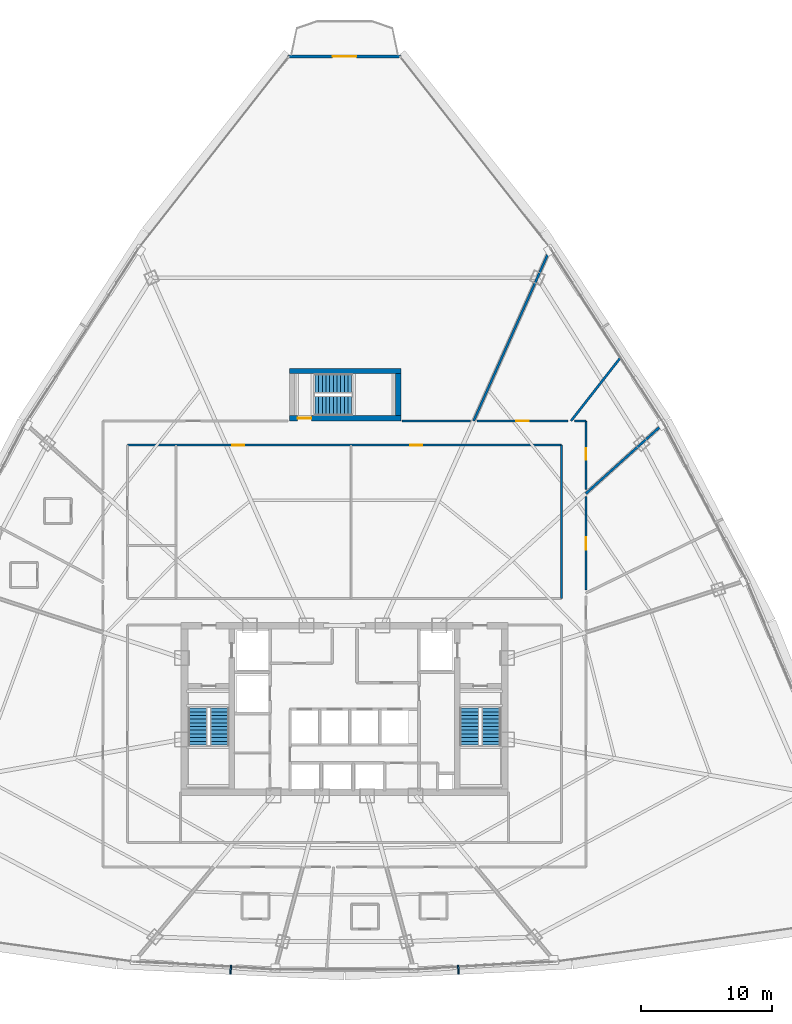
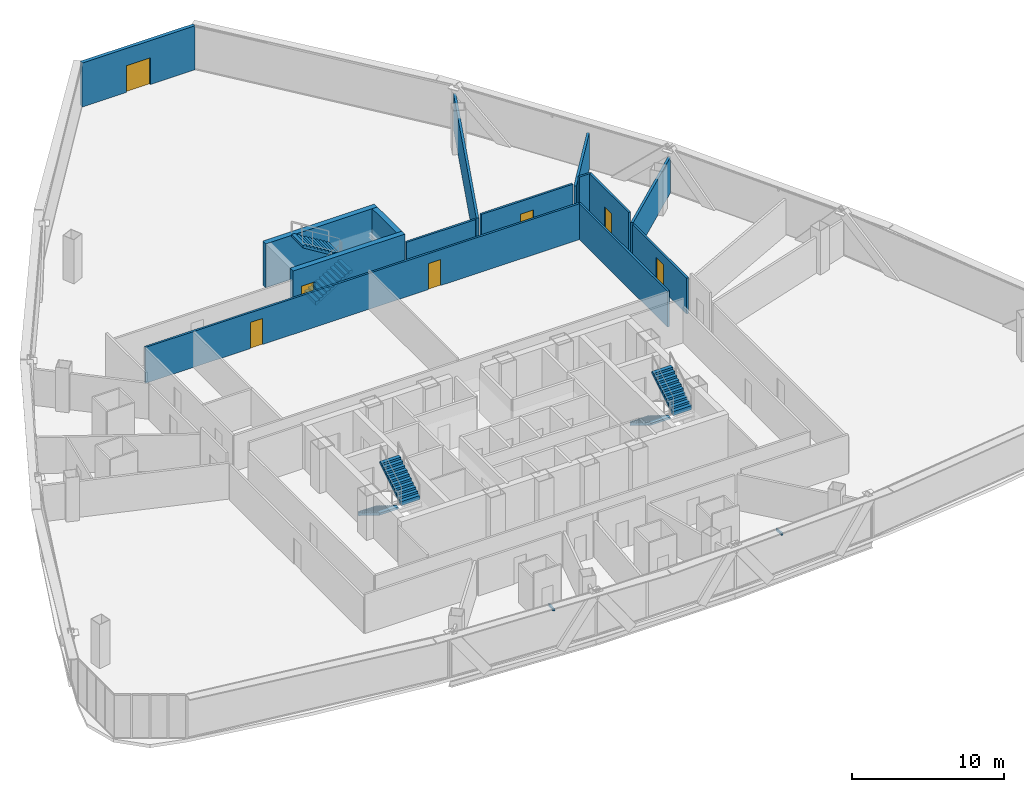
# One storey, part 35 of 40: 14 walls, 7 doors, 6 stair flights, 2 discrete accessories, 7 openings, 3 elements without a shape of their own.
"""IFC4 building model written with IfcOpenShell, lengths in metres."""

from ifc_helpers import new_model, si_unit, direction, frame, frame_2d, origin, origin_with_axes, origin_2d, place, context, subcontext, project, spatial, polyline, rectangle, outline, extrude, source, transform, mapped, material, layer, layer_set, type_object, element, fill, aggregate, save


model = new_model("IFC4")

# Units and contexts
model_context = context("Model", 3, precision=1e-05, world=origin(), true_north=direction((0.0, 1.0)))
body_context = subcontext(model_context, "Body", "Model", "MODEL_VIEW")
ifc_project = project(units=[si_unit("LENGTHUNIT", "METRE"), si_unit("AREAUNIT", "SQUARE_METRE"), si_unit("VOLUMEUNIT", "CUBIC_METRE"), si_unit("PLANEANGLEUNIT", "RADIAN"), si_unit("MASSUNIT", "GRAM", prefix="KILO"), si_unit("THERMODYNAMICTEMPERATUREUNIT", "KELVIN"), si_unit("POWERUNIT", "WATT")], contexts=[model_context])

# Site, building, storey
site_placement = place(None, origin())
site = spatial("IfcSite", under=ifc_project, at=site_placement, CompositionType="ELEMENT")
building_placement = place(site_placement, origin())
building = spatial("IfcBuilding", under=site, at=building_placement, Name="Yunzhuo Pagoda Commons", CompositionType="ELEMENT")
storey_placement = place(building_placement, frame((0.0, 0.0, 188.56005859375)))
storey = spatial("IfcBuildingStorey", under=building, at=storey_placement, Name="L47", CompositionType="ELEMENT", Elevation=188.56005859375)

# Wall, opening, door
ifc_material_1 = material(Name="Precast concrete C40", Category="concrete")
ifc_layer_1 = layer(ifc_material_1, 0.260009765625)
ifc_layer_set_1 = layer_set([ifc_layer_1], Name="Precast concrete C40")
wall_type_1 = type_object("IfcWallType", Name="W-BAL1 Corner Balcony Threshold Wall 260", PredefinedType="STANDARD", material=ifc_layer_set_1)
wall_1_placement = place(storey_placement, frame((52.290283203125, 83.582763671875, 0.0), z_axis=(0.0, 0.0, 1.0), x_axis=(-1.0, 0.0, 0.0)))
wall_1 = element("IfcWall", 1, at=wall_1_placement, inside=storey, type_object=wall_type_1, Name="L47 corner balcony wall V3", PredefinedType="STANDARD", context=body_context, shape_type="SweptSolid", body=[
    extrude(rectangle(XDim=8.58056640625, YDim=0.260009765625, at=frame_2d((4.290283203125, 0.0))), origin(), (0.0, 0.0, 1.0), 3.5400390625),
])
opening_1_placement = place(wall_1_placement, frame((3.390380859375, 0.0, 0.0)))
opening_1 = element("IfcOpeningElement", 2, at=opening_1_placement, cuts=wall_1, Name="Opening D-BAL1", PredefinedType="OPENING", context=body_context, shape_type="SweptSolid", body=[
    extrude(rectangle(XDim=1.800048828125, YDim=2.14990234375, at=frame_2d((0.89990234375, 1.074951171875))), frame((0.0, 0.14013671875, 0.0), z_axis=(0.0, -1.0, 0.0), x_axis=(1.0, 0.0, 0.0)), (0.0, 0.0, 1.0), 0.280029296875),
])
ifc_material_2 = material(Name="Anodized aluminium frame and tempered glazed leaf", Category="aluminium")
door_type_1 = type_object("IfcDoorType", Name="D-BAL1 Corner Balcony Sliding Glazed Door 1800x2150", OperationType="DOUBLE_DOOR_SLIDING", PredefinedType="DOOR", material=ifc_material_2)
shared_shape_1 = source(origin(), body_context, "Body", "SweptSolid", [
    extrude(rectangle(XDim=1.800048828125, YDim=2.14990234375, at=frame_2d((0.89990234375, 1.074951171875))), frame((0.0, 0.02490234375, 0.0), z_axis=(0.0, -1.0, 0.0), x_axis=(1.0, 0.0, 0.0)), (0.0, 0.0, 1.0), 0.050048828125),
])
door_1_placement = place(opening_1_placement, origin_with_axes())
door_1 = element("IfcDoor", 3, at=door_1_placement, inside=storey, type_object=door_type_1, Name="L47 corner balcony sliding door V3", OperationType="DOUBLE_DOOR_SLIDING", OverallHeight=2.14990234375, OverallWidth=1.800048828125, PredefinedType="DOOR", context=body_context, shape_type="MappedRepresentation", body=[
    mapped(shared_shape_1, transform((0.0, 0.0, 0.0), scale=1.0)),
])
fill(opening_1, door_1)

# Wall, openings, doors
ifc_material_3 = material(Name="Gypsum plasterboard on acoustic stud")
ifc_layer_2 = layer(ifc_material_3, 0.155029296875)
ifc_layer_set_2 = layer_set([ifc_layer_2], Name="Gypsum plasterboard on acoustic stud")
wall_type_2 = type_object("IfcWallType", Name="W-COR2 Mid-Zone Rated Corridor Wall 155", PredefinedType="PARTITIONING", material=ifc_layer_set_2)
wall_2_placement = place(storey_placement, frame((31.449951171875, 53.949951171875, 0.0), z_axis=(0.0, 0.0, 1.0), x_axis=(1.0, 0.0, 0.0)))
wall_2 = element("IfcWall", 4, at=wall_2_placement, inside=storey, type_object=wall_type_2, Name="L47 interior wall IW-L47-MCNN", PredefinedType="PARTITIONING", context=body_context, shape_type="SweptSolid", body=[
    extrude(rectangle(XDim=33.10009765625, YDim=0.155029296875, at=frame_2d((16.550048828125, 0.0))), origin(), (0.0, 0.0, 1.0), 2.889892578125),
])
opening_2_placement = place(wall_2_placement, frame((8.0, 0.0, 0.0)))
opening_2 = element("IfcOpeningElement", 5, at=opening_2_placement, cuts=wall_2, Name="Opening D-04", PredefinedType="OPENING", context=body_context, shape_type="SweptSolid", body=[
    extrude(rectangle(XDim=0.919921875, YDim=2.10009765625, at=frame_2d((0.4599609375, 1.050048828125))), frame((0.0, 0.08740234375, 0.0), z_axis=(0.0, -1.0, 0.0), x_axis=(1.0, 0.0, 0.0)), (0.0, 0.0, 1.0), 0.175048828125),
])
opening_3_placement = place(wall_2_placement, frame((21.550048828125, 0.0, 0.0)))
opening_3 = element("IfcOpeningElement", 6, at=opening_3_placement, cuts=wall_2, Name="Opening D-04", PredefinedType="OPENING", context=body_context, shape_type="SweptSolid", body=[
    extrude(rectangle(XDim=0.919921875, YDim=2.10009765625, at=frame_2d((0.4599609375, 1.050048828125))), frame((0.0, 0.08740234375, 0.0), z_axis=(0.0, -1.0, 0.0), x_axis=(1.0, 0.0, 0.0)), (0.0, 0.0, 1.0), 0.175048828125),
])
ifc_material_4 = material(Name="Powder-coated aluminium and timber acoustic leaf", Category="wood")
door_type_2 = type_object("IfcDoorType", Name="D-04 Bedroom & Study Interior Door 920x2100", OperationType="NOTDEFINED", PredefinedType="DOOR", material=ifc_material_4)
shared_shape_2 = source(origin(), body_context, "Body", "SweptSolid", [
    extrude(rectangle(XDim=0.919921875, YDim=2.10009765625, at=frame_2d((0.4599609375, 1.050048828125))), frame((0.0, 0.02490234375, 0.0), z_axis=(0.0, -1.0, 0.0), x_axis=(1.0, 0.0, 0.0)), (0.0, 0.0, 1.0), 0.050048828125),
])
door_2_placement = place(opening_2_placement, origin_with_axes())
door_2 = element("IfcDoor", 7, at=door_2_placement, inside=storey, type_object=door_type_2, Name="L47 reading commons door", OperationType="SINGLE_SWING_LEFT", OverallHeight=2.10009765625, OverallWidth=0.919921875, PredefinedType="DOOR", context=body_context, shape_type="MappedRepresentation", body=[
    mapped(shared_shape_2, transform((0.0, 0.0, 0.0), scale=1.0)),
])
fill(opening_2, door_2)
door_3_placement = place(opening_3_placement, origin_with_axes())
door_3 = element("IfcDoor", 8, at=door_3_placement, inside=storey, type_object=door_type_2, Name="L47 seminar commons door", OperationType="SINGLE_SWING_RIGHT", OverallHeight=2.10009765625, OverallWidth=0.919921875, PredefinedType="DOOR", context=body_context, shape_type="MappedRepresentation", body=[
    mapped(shared_shape_2, transform((0.0, 0.0, 0.0), scale=1.0)),
])
fill(opening_3, door_3)

# Walls
wall_3_placement = place(storey_placement, frame((64.550048828125, 42.25, 0.0), z_axis=(0.0, 0.0, 1.0), x_axis=(0.0, 1.0, 0.0)))
element("IfcWall", 9, at=wall_3_placement, inside=storey, type_object=wall_type_2, Name="L47 interior wall IW-L47-MCNE", PredefinedType="PARTITIONING", context=body_context, shape_type="SweptSolid", body=[
    extrude(rectangle(XDim=11.699951171875, YDim=0.155029296875, at=frame_2d((5.85009765625, 0.0))), origin(), (0.0, 0.0, 1.0), 2.889892578125),
])
wall_4_placement = place(storey_placement, frame((52.39111328125, 55.800048828125, 0.0), z_axis=(0.0, 0.0, 1.0), x_axis=(1.0, 0.0, 0.0)))
element("IfcWall", 10, at=wall_4_placement, inside=storey, type_object=wall_type_2, Name="L47 interior wall IW-L47-CWL06", PredefinedType="PARTITIONING", context=body_context, shape_type="SweptSolid", body=[
    extrude(rectangle(XDim=5.228759765625, YDim=0.155029296875, at=frame_2d((2.6142578125, 0.0))), origin(), (0.0, 0.0, 1.0), 2.889892578125),
])

# Wall, opening, door
wall_5_placement = place(storey_placement, frame((58.080322265625, 55.800048828125, 0.0), z_axis=(0.0, 0.0, 1.0), x_axis=(1.0, 0.0, 0.0)))
wall_5 = element("IfcWall", 11, at=wall_5_placement, inside=storey, type_object=wall_type_2, Name="L47 interior wall IW-L47-CWL07", PredefinedType="PARTITIONING", context=body_context, shape_type="SweptSolid", body=[
    extrude(rectangle(XDim=6.96630859375, YDim=0.155029296875, at=frame_2d((3.483154296875, 0.0))), origin(), (0.0, 0.0, 1.0), 3.139892578125),
])
opening_4_placement = place(wall_5_placement, frame((2.99755859375, 0.0, 0.0)))
opening_4 = element("IfcOpeningElement", 12, at=opening_4_placement, cuts=wall_5, Name="Opening D-07", PredefinedType="OPENING", context=body_context, shape_type="SweptSolid", body=[
    extrude(rectangle(XDim=0.9599609375, YDim=2.1201171875, at=frame_2d((0.47998046875, 1.06005859375))), frame((0.0, 0.08740234375, 0.0), z_axis=(0.0, -1.0, 0.0), x_axis=(1.0, 0.0, 0.0)), (0.0, 0.0, 1.0), 0.175048828125),
])
ifc_material_5 = material(Name="Galvanized fire-resisting metal leaf")
door_type_3 = type_object("IfcDoorType", Name="D-07 Mid-Zone Suite Entrance Fire Door 960x2120", OperationType="NOTDEFINED", PredefinedType="DOOR", material=ifc_material_5)
shared_shape_3 = source(origin(), body_context, "Body", "SweptSolid", [
    extrude(rectangle(XDim=0.9599609375, YDim=2.1201171875, at=frame_2d((0.47998046875, 1.06005859375))), frame((0.0, 0.02490234375, 0.0), z_axis=(0.0, -1.0, 0.0), x_axis=(1.0, 0.0, 0.0)), (0.0, 0.0, 1.0), 0.050048828125),
])
door_4_placement = place(opening_4_placement, origin_with_axes())
door_4 = element("IfcDoor", 13, at=door_4_placement, inside=storey, type_object=door_type_3, Name="L47 unit 04 entrance door", OperationType="SINGLE_SWING_RIGHT", OverallHeight=2.1201171875, OverallWidth=0.9599609375, PredefinedType="DOOR", context=body_context, shape_type="MappedRepresentation", body=[
    mapped(shared_shape_3, transform((0.0, 0.0, 0.0), scale=1.0)),
])
fill(opening_4, door_4)

# Wall
wall_6_placement = place(storey_placement, frame((65.545654296875, 55.800048828125, 0.0), z_axis=(0.0, 0.0, 1.0), x_axis=(1.0, 0.0, 0.0)))
element("IfcWall", 14, at=wall_6_placement, inside=storey, type_object=wall_type_2, Name="L47 interior wall IW-L47-CWL08", PredefinedType="PARTITIONING", context=body_context, shape_type="SweptSolid", body=[
    extrude(rectangle(XDim=0.854248046875, YDim=0.155029296875, at=frame_2d((0.42724609375, 0.0))), origin(), (0.0, 0.0, 1.0), 3.5400390625),
])

# Wall, opening, door
wall_7_placement = place(storey_placement, frame((66.39990234375, 55.800048828125, 0.0), z_axis=(0.0, 0.0, 1.0), x_axis=(0.0, -1.0, 0.0)))
wall_7 = element("IfcWall", 15, at=wall_7_placement, inside=storey, type_object=wall_type_2, Name="L47 interior wall IW-L47-CWL09", PredefinedType="PARTITIONING", context=body_context, shape_type="SweptSolid", body=[
    extrude(rectangle(XDim=5.236572265625, YDim=0.155029296875, at=frame_2d((2.6181640625, 0.0))), origin(), (0.0, 0.0, 1.0), 3.5400390625),
])
opening_5_placement = place(wall_7_placement, frame((2.076416015625, 0.0, 0.0)))
opening_5 = element("IfcOpeningElement", 16, at=opening_5_placement, cuts=wall_7, Name="Opening D-12", PredefinedType="OPENING", context=body_context, shape_type="SweptSolid", body=[
    extrude(rectangle(XDim=0.89990234375, YDim=2.080078125, at=frame_2d((0.449951171875, 1.0400390625))), frame((0.0, 0.08740234375, 0.0), z_axis=(0.0, -1.0, 0.0), x_axis=(1.0, 0.0, 0.0)), (0.0, 0.0, 1.0), 0.175048828125),
])
door_type_4 = type_object("IfcDoorType", Name="D-12 Quiet Study Interior Door 900x2080", OperationType="NOTDEFINED", PredefinedType="DOOR", material=ifc_material_4)
shared_shape_4 = source(origin(), body_context, "Body", "SweptSolid", [
    extrude(rectangle(XDim=0.89990234375, YDim=2.080078125, at=frame_2d((0.449951171875, 1.0400390625))), frame((0.0, 0.02490234375, 0.0), z_axis=(0.0, -1.0, 0.0), x_axis=(1.0, 0.0, 0.0)), (0.0, 0.0, 1.0), 0.050048828125),
])
door_5_placement = place(opening_5_placement, origin_with_axes())
door_5 = element("IfcDoor", 17, at=door_5_placement, inside=storey, type_object=door_type_4, Name="L47 study lounge 03 door", OperationType="SINGLE_SWING_LEFT", OverallHeight=2.080078125, OverallWidth=0.89990234375, PredefinedType="DOOR", context=body_context, shape_type="MappedRepresentation", body=[
    mapped(shared_shape_4, transform((0.0, 0.0, 0.0), scale=1.0)),
])
fill(opening_5, door_5)

wall_8_placement = place(storey_placement, frame((66.39990234375, 50.047607421875, 0.0), z_axis=(0.0, 0.0, 1.0), x_axis=(0.0, -1.0, 0.0)))
wall_8 = element("IfcWall", 18, at=wall_8_placement, inside=storey, type_object=wall_type_2, Name="L47 interior wall IW-L47-CWL10", PredefinedType="PARTITIONING", context=body_context, shape_type="SweptSolid", body=[
    extrude(rectangle(XDim=7.12841796875, YDim=0.155029296875, at=frame_2d((3.564208984375, 0.0))), origin(), (0.0, 0.0, 1.0), 2.889892578125),
])
opening_6_placement = place(wall_8_placement, frame((3.101806640625, 0.0, 0.0)))
opening_6 = element("IfcOpeningElement", 19, at=opening_6_placement, cuts=wall_8, Name="Opening D-07", PredefinedType="OPENING", context=body_context, shape_type="SweptSolid", body=[
    extrude(rectangle(XDim=0.9599609375, YDim=2.1201171875, at=frame_2d((0.47998046875, 1.06005859375))), frame((0.0, 0.08740234375, 0.0), z_axis=(0.0, -1.0, 0.0), x_axis=(1.0, 0.0, 0.0)), (0.0, 0.0, 1.0), 0.175048828125),
])
door_6_placement = place(opening_6_placement, origin_with_axes())
door_6 = element("IfcDoor", 20, at=door_6_placement, inside=storey, type_object=door_type_3, Name="L47 unit 02 entrance door", OperationType="SINGLE_SWING_RIGHT", OverallHeight=2.1201171875, OverallWidth=0.9599609375, PredefinedType="DOOR", context=body_context, shape_type="MappedRepresentation", body=[
    mapped(shared_shape_3, transform((0.0, 0.0, 0.0), scale=1.0)),
])
fill(opening_6, door_6)

# Walls
ifc_layer_3 = layer(ifc_material_3, 0.175048828125)
ifc_layer_set_3 = layer_set([ifc_layer_3], Name="Gypsum plasterboard on acoustic stud")
wall_type_3 = type_object("IfcWallType", Name="W-PRT3 Mid-Zone Demising Wall 175", PredefinedType="PARTITIONING", material=ifc_layer_set_3)
wall_9_placement = place(storey_placement, frame((66.39990234375, 50.267333984375, 0.0), z_axis=(0.0, 0.0, 1.0), x_axis=(0.743139097079, 0.669136968335, 0.0)))
element("IfcWall", 21, at=wall_9_placement, inside=storey, type_object=wall_type_3, Name="L47 interior wall IW-L47-RAD03", PredefinedType="PARTITIONING", context=body_context, shape_type="SweptSolid", body=[
    extrude(rectangle(XDim=7.987060546875, YDim=0.175048828125, at=frame_2d((3.99365234375, 0.0))), origin(), (0.0, 0.0, 1.0), 2.889892578125),
])
wall_10_placement = place(storey_placement, frame((65.266357421875, 55.800048828125, 0.0), z_axis=(0.0, 0.0, 1.0), x_axis=(0.615677811369, 0.787997990218, 0.0)))
element("IfcWall", 22, at=wall_10_placement, inside=storey, type_object=wall_type_3, Name="L47 interior wall IW-L47-RAD04", PredefinedType="PARTITIONING", context=body_context, shape_type="SweptSolid", body=[
    extrude(rectangle(XDim=6.1728515625, YDim=0.175048828125, at=frame_2d((3.08642578125, 0.0))), origin(), (0.0, 0.0, 1.0), 2.889892578125),
])
wall_11_placement = place(storey_placement, frame((57.839599609375, 55.800048828125, 0.0), z_axis=(0.0, 0.0, 1.0), x_axis=(0.40674529891, 0.913541603768, 0.0)))
element("IfcWall", 23, at=wall_11_placement, inside=storey, type_object=wall_type_3, Name="L47 interior wall IW-L47-RAD05", PredefinedType="PARTITIONING", context=body_context, shape_type="SweptSolid", body=[
    extrude(rectangle(XDim=14.40673828125, YDim=0.175048828125, at=frame_2d((7.203369140625, 0.0))), origin(), (0.0, 0.0, 1.0), 2.889892578125),
])
ifc_material_6 = material(Name="Concrete C60", Category="concrete")
ifc_layer_4 = layer(ifc_material_6, 0.39990234375)
ifc_layer_set_4 = layer_set([ifc_layer_4], Name="Concrete C60")
wall_type_4 = type_object("IfcWallType", Name="W-S01 Internal Core Shear Web 400", PredefinedType="SHEAR", material=ifc_layer_set_4)
wall_12_placement = place(storey_placement, frame((43.800048828125, 59.60009765625, 0.0), z_axis=(0.0, 0.0, 1.0), x_axis=(1.0, 0.0, 0.0)))
element("IfcWall", 24, at=wall_12_placement, inside=storey, type_object=wall_type_4, Name="L47 ST3 structural stair wall N", PredefinedType="SHEAR", context=body_context, shape_type="SweptSolid", body=[
    extrude(rectangle(XDim=8.5, YDim=0.39990234375, at=frame_2d((4.25, 0.0))), origin(), (0.0, 0.0, 1.0), 3.5400390625),
])

# Wall, opening, door
wall_13_placement = place(storey_placement, frame((43.800048828125, 56.0, 0.0), z_axis=(0.0, 0.0, 1.0), x_axis=(1.0, 0.0, 0.0)))
wall_13 = element("IfcWall", 25, at=wall_13_placement, inside=storey, type_object=wall_type_4, Name="L47 ST3 structural stair wall S", PredefinedType="SHEAR", context=body_context, shape_type="SweptSolid", body=[
    extrude(rectangle(XDim=8.5, YDim=0.39990234375, at=frame_2d((4.25, 0.0))), origin(), (0.0, 0.0, 1.0), 3.5400390625),
])
opening_7_placement = place(wall_13_placement, frame((0.6201171875, 0.0, 0.0)))
opening_7 = element("IfcOpeningElement", 26, at=opening_7_placement, cuts=wall_13, Name="Opening D-01", PredefinedType="OPENING", context=body_context, shape_type="SweptSolid", body=[
    extrude(rectangle(XDim=1.050048828125, YDim=2.10009765625, at=frame_2d((0.52490234375, 1.050048828125))), frame((0.0, 0.2099609375, 0.0), z_axis=(0.0, -1.0, 0.0), x_axis=(1.0, 0.0, 0.0)), (0.0, 0.0, 1.0), 0.419921875),
])
door_type_5 = type_object("IfcDoorType", Name="D-01 Smokeproof Stair Fire Door 1050x2100", OperationType="NOTDEFINED", PredefinedType="DOOR", material=ifc_material_5)
shared_shape_5 = source(origin(), body_context, "Body", "SweptSolid", [
    extrude(rectangle(XDim=1.050048828125, YDim=2.10009765625, at=frame_2d((0.52490234375, 1.050048828125))), frame((0.0, 0.02490234375, 0.0), z_axis=(0.0, -1.0, 0.0), x_axis=(1.0, 0.0, 0.0)), (0.0, 0.0, 1.0), 0.050048828125),
])
door_7_placement = place(opening_7_placement, frame((1.050048828125, 0.0, 0.0), z_axis=(0.0, 0.0, 1.0), x_axis=(-1.0, 0.0, 0.0)))
door_7 = element("IfcDoor", 27, at=door_7_placement, inside=storey, type_object=door_type_5, Name="L47 Stair ST3 fire door", OperationType="SINGLE_SWING_LEFT", OverallHeight=2.10009765625, OverallWidth=1.050048828125, PredefinedType="DOOR", context=body_context, shape_type="MappedRepresentation", body=[
    mapped(shared_shape_5, transform((0.0, 0.0, 0.0), scale=1.0)),
])
fill(opening_7, door_7)

# Wall
wall_14_placement = place(storey_placement, frame((52.10009765625, 56.199951171875, 0.0), z_axis=(0.0, 0.0, 1.0), x_axis=(0.0, 1.0, 0.0)))
element("IfcWall", 28, at=wall_14_placement, inside=storey, type_object=wall_type_4, Name="L47 ST3 structural stair wall E", PredefinedType="SHEAR", context=body_context, shape_type="SweptSolid", body=[
    extrude(rectangle(XDim=3.199951171875, YDim=0.39990234375, at=frame_2d((1.60009765625, 0.0))), origin(), (0.0, 0.0, 1.0), 3.5400390625),
])

# Stair, stair flights
ifc_material_7 = material(Name="Concrete C40", Category="concrete")
stair_type_1 = type_object("IfcStairType", Name="ST-C1 Core Smokeproof Stair ST1", PredefinedType="HALF_TURN_STAIR", material=ifc_material_7)
stair_1_placement = place(storey_placement, origin())
stair_1 = element("IfcStair", 29, at=stair_1_placement, inside=storey, type_object=stair_type_1, Name="L47 Core smokeproof stair ST1", PredefinedType="HALF_TURN_STAIR")
stair_flight_type_1 = type_object("IfcStairFlightType", Name="STF-C1 Core Stair Flight 1450", PredefinedType="STRAIGHT", material=ifc_material_7)
shared_shape_6 = source(origin(), body_context, "Body", "SweptSolid", [
    extrude(outline(polyline([(0.0, -0.14990234375), (0.0, 0.0), (0.0, 0.172607421875), (0.280029296875, 0.172607421875), (0.280029296875, 0.345458984375), (0.56005859375, 0.345458984375), (0.56005859375, 0.51806640625), (0.840087890625, 0.51806640625), (0.840087890625, 0.69091796875), (1.1201171875, 0.69091796875), (1.1201171875, 0.863525390625), (1.39990234375, 0.863525390625), (1.39990234375, 1.036376953125), (1.679931640625, 1.036376953125), (1.679931640625, 1.208984375), (1.9599609375, 1.208984375), (1.9599609375, 1.3818359375), (2.239990234375, 1.3818359375), (2.239990234375, 1.554443359375), (2.52001953125, 1.554443359375), (2.52001953125, 1.727294921875), (2.800048828125, 1.727294921875), (2.800048828125, 1.89990234375), (2.800048828125, 1.551025390625), (0.285400390625, 0.0), (0.050048828125, -0.14990234375), (0.0, -0.14990234375)])), frame((0.0, 0.72509765625, 0.0), z_axis=(0.0, -1.0, 0.0), x_axis=(1.0, 0.0, 0.0)), (0.0, 0.0, 1.0), 1.449951171875),
])
stair_flight_1_placement = place(storey_placement, frame((36.824951171875, 33.89990234375, 0.0), z_axis=(0.0, 0.0, 1.0), x_axis=(0.0, -1.0, 0.0)))
stair_flight_1 = element("IfcStairFlight", 30, at=stair_flight_1_placement, type_object=stair_flight_type_1, Name="ST1 flight 1", NumberOfRisers=11, NumberOfTreads=10, PredefinedType="STRAIGHT", RiserHeight=0.172727273, TreadLength=0.28, context=body_context, shape_type="MappedRepresentation", body=[
    mapped(shared_shape_6, transform((0.0, 0.0, 0.0), scale=1.0)),
])
stair_flight_2_placement = place(storey_placement, frame((38.47509765625, 31.10009765625, 1.89990234375), z_axis=(0.0, 0.0, 1.0), x_axis=(0.0, 1.0, 0.0)))
stair_flight_2 = element("IfcStairFlight", 31, at=stair_flight_2_placement, type_object=stair_flight_type_1, Name="ST1 flight 2", NumberOfRisers=11, NumberOfTreads=10, PredefinedType="STRAIGHT", RiserHeight=0.172727273, TreadLength=0.28, context=body_context, shape_type="MappedRepresentation", body=[
    mapped(shared_shape_6, transform((0.0, 0.0, 0.0), scale=1.0)),
])
aggregate(stair_1, [stair_flight_1, stair_flight_2])

stair_type_2 = type_object("IfcStairType", Name="ST-C2 Core Smokeproof Stair ST2", PredefinedType="HALF_TURN_STAIR", material=ifc_material_7)
stair_2_placement = place(storey_placement, origin())
stair_2 = element("IfcStair", 32, at=stair_2_placement, inside=storey, type_object=stair_type_2, Name="L47 Core smokeproof stair ST2", PredefinedType="HALF_TURN_STAIR")
stair_flight_type_2 = type_object("IfcStairFlightType", Name="STF-C2 Core Stair Flight 1460", PredefinedType="STRAIGHT", material=ifc_material_7)
stair_flight_3_placement = place(storey_placement, frame((57.52490234375, 33.89990234375, 0.0), z_axis=(0.0, 0.0, 1.0), x_axis=(0.0, -1.0, 0.0)))
stair_flight_3 = element("IfcStairFlight", 33, at=stair_flight_3_placement, type_object=stair_flight_type_2, Name="ST2 flight 1", NumberOfRisers=11, NumberOfTreads=10, PredefinedType="STRAIGHT", RiserHeight=0.172727273, TreadLength=0.28, context=body_context, shape_type="MappedRepresentation", body=[
    mapped(shared_shape_6, transform((0.0, 0.0, 0.0), scale=1.0)),
])
stair_flight_4_placement = place(storey_placement, frame((59.175048828125, 31.10009765625, 1.89990234375), z_axis=(0.0, 0.0, 1.0), x_axis=(0.0, 1.0, 0.0)))
stair_flight_4 = element("IfcStairFlight", 34, at=stair_flight_4_placement, type_object=stair_flight_type_2, Name="ST2 flight 2", NumberOfRisers=11, NumberOfTreads=10, PredefinedType="STRAIGHT", RiserHeight=0.172727273, TreadLength=0.28, context=body_context, shape_type="MappedRepresentation", body=[
    mapped(shared_shape_6, transform((0.0, 0.0, 0.0), scale=1.0)),
])
aggregate(stair_2, [stair_flight_3, stair_flight_4])

stair_type_3 = type_object("IfcStairType", Name="ST-C3 North Tower Smokeproof Stair ST3", PredefinedType="HALF_TURN_STAIR", material=ifc_material_7)
stair_3_placement = place(storey_placement, origin())
stair_3 = element("IfcStair", 35, at=stair_3_placement, inside=storey, type_object=stair_type_3, Name="L47 North tower smokeproof stair ST3", PredefinedType="HALF_TURN_STAIR")
stair_flight_type_3 = type_object("IfcStairFlightType", Name="STF-C3 North Stair Flight 1500", PredefinedType="STRAIGHT", material=ifc_material_7)
shared_shape_7 = source(origin(), body_context, "Body", "SweptSolid", [
    extrude(outline(polyline([(0.0, -0.14990234375), (0.0, 0.0), (0.0, 0.172607421875), (0.280029296875, 0.172607421875), (0.280029296875, 0.345458984375), (0.56005859375, 0.345458984375), (0.56005859375, 0.51806640625), (0.840087890625, 0.51806640625), (0.840087890625, 0.69091796875), (1.1201171875, 0.69091796875), (1.1201171875, 0.863525390625), (1.39990234375, 0.863525390625), (1.39990234375, 1.036376953125), (1.679931640625, 1.036376953125), (1.679931640625, 1.208984375), (1.9599609375, 1.208984375), (1.9599609375, 1.3818359375), (2.239990234375, 1.3818359375), (2.239990234375, 1.554443359375), (2.52001953125, 1.554443359375), (2.52001953125, 1.727294921875), (2.800048828125, 1.727294921875), (2.800048828125, 1.89990234375), (2.800048828125, 1.551025390625), (0.285400390625, 0.0), (0.050048828125, -0.14990234375), (0.0, -0.14990234375)])), frame((0.0, 0.75, 0.0), z_axis=(0.0, -1.0, 0.0), x_axis=(1.0, 0.0, 0.0)), (0.0, 0.0, 1.0), 1.5),
])
stair_flight_5_placement = place(storey_placement, frame((45.75, 56.949951171875, 0.0), z_axis=(0.0, 0.0, 1.0), x_axis=(1.0, 0.0, 0.0)))
stair_flight_5 = element("IfcStairFlight", 36, at=stair_flight_5_placement, type_object=stair_flight_type_3, Name="ST3 flight 1", NumberOfRisers=11, NumberOfTreads=10, PredefinedType="STRAIGHT", RiserHeight=0.172727273, TreadLength=0.28, context=body_context, shape_type="MappedRepresentation", body=[
    mapped(shared_shape_7, transform((0.0, 0.0, 0.0), scale=1.0)),
])
stair_flight_6_placement = place(storey_placement, frame((48.550048828125, 58.64990234375, 1.89990234375), z_axis=(0.0, 0.0, 1.0), x_axis=(-1.0, 0.0, 0.0)))
stair_flight_6 = element("IfcStairFlight", 37, at=stair_flight_6_placement, type_object=stair_flight_type_3, Name="ST3 flight 2", NumberOfRisers=11, NumberOfTreads=10, PredefinedType="STRAIGHT", RiserHeight=0.172727273, TreadLength=0.28, context=body_context, shape_type="MappedRepresentation", body=[
    mapped(shared_shape_7, transform((0.0, 0.0, 0.0), scale=1.0)),
])
aggregate(stair_3, [stair_flight_5, stair_flight_6])

# Discrete accessories
ifc_material_8 = material(Name="Anodized aluminium 6063-T6", Category="aluminium")
discrete_accessory_type = type_object("IfcDiscreteAccessoryType", Name="BK-SUN1 Sunshade Outrigger Bracket", PredefinedType="BRACKET", material=ifc_material_8)
shared_shape_8 = source(origin(), body_context, "Body", "SweptSolid", [
    extrude(rectangle(XDim=0.1201171875, YDim=0.679931640625, at=origin_2d()), origin(), (0.0, 0.0, 1.0), 0.179931640625),
])
for number, where, z_axis, x_axis, name in (
    (38, (39.32421875, 13.966552734375, 3.330078125), (0.0, 0.0, 1.0), (0.998818043775, -0.04860571396, 0.0), "L47 sunshade outrigger bracket F1.2"),
    (39, (56.67578125, 13.966552734375, 3.330078125), (0.0, 0.0, 1.0), (0.998818043775, 0.04860571396, 0.0), "L47 sunshade outrigger bracket F1.3"),
):
    element("IfcDiscreteAccessory", number, at=place(storey_placement, frame(where, z_axis=z_axis, x_axis=x_axis)), inside=storey, type_object=discrete_accessory_type, Name=name, PredefinedType="BRACKET", context=body_context, shape_type="MappedRepresentation", body=[
        mapped(shared_shape_8, transform((0.0, 0.0, 0.0), scale=1.0)),
    ])

save(model, "model.ifc")
